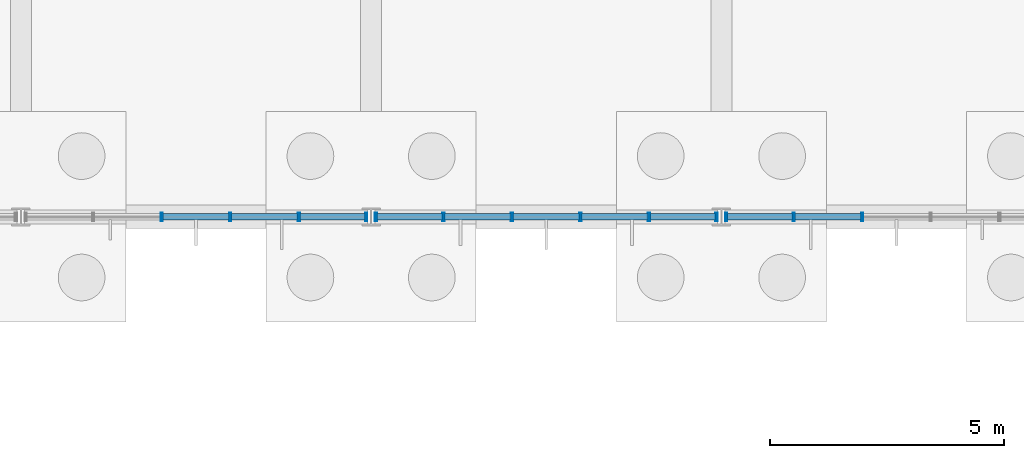
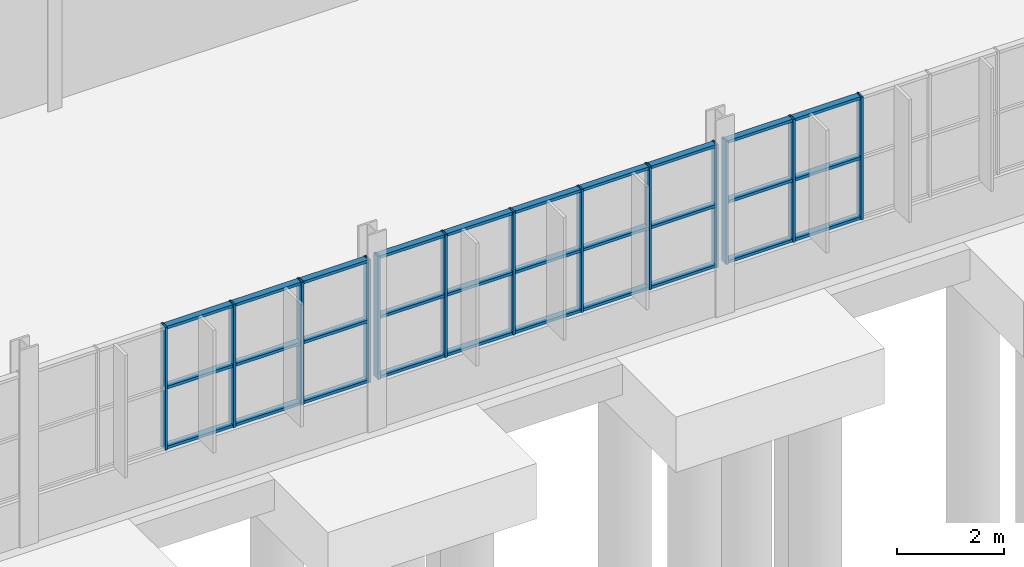
# One storey, part 61 of 136: 43 members, 3 elements without a shape of their own.
"""IFC4 building model written with IfcOpenShell, lengths in metres."""

from ifc_helpers import new_model, si_unit, direction, frame, origin, origin_2d, place, context, subcontext, project, spatial, hollow_rectangle, extrude, material, layer, layer_set, material_profile, profile_set, type_object, element, aggregate, save


model = new_model("IFC4")

# Units and contexts
model_context = context("Model", 3, precision=1e-05, world=origin(), true_north=direction((0.0, 1.0)))
body_context = subcontext(model_context, "Body", "Model", "MODEL_VIEW")
ifc_project = project(units=[si_unit("LENGTHUNIT", "METRE"), si_unit("AREAUNIT", "SQUARE_METRE"), si_unit("VOLUMEUNIT", "CUBIC_METRE"), si_unit("PLANEANGLEUNIT", "RADIAN"), si_unit("MASSUNIT", "GRAM", prefix="KILO")], contexts=[model_context])

# Site, building, storey
site_placement = place(None, origin())
site = spatial("IfcSite", under=ifc_project, at=site_placement, CompositionType="ELEMENT")
building_placement = place(site_placement, origin())
building = spatial("IfcBuilding", under=site, at=building_placement, Name="Solvenia Promenade Tram Depot", CompositionType="ELEMENT")
storey_placement = place(building_placement, origin())
storey = spatial("IfcBuildingStorey", under=building, at=storey_placement, Name="L00", CompositionType="ELEMENT", Elevation=0.0)

# Curtain wall, members
ifc_material = material(Name="Anodized aluminium AW-6063 T6", Category="aluminium")
ifc_layer = layer(ifc_material, 0.14990234375, Name="Anodized aluminium AW-6063 T6", Category="aluminium")
ifc_layer_set = layer_set([ifc_layer], Name="Anodized aluminium AW-6063 T6")
curtain_wall_type = type_object("IfcCurtainWallType", Name="CW-Court-1500", PredefinedType="NOTDEFINED", material=ifc_layer_set)
curtain_wall_1_placement = place(storey_placement, origin())
curtain_wall_1 = element("IfcCurtainWall", 1, at=curtain_wall_1_placement, inside=storey, type_object=curtain_wall_type, Name="Curtain Wall CW-V1S0-03", PredefinedType="NOTDEFINED")
ifc_material_profile_1 = material_profile(ifc_material, hollow_rectangle(XDim=0.179931640625, YDim=0.050048828125, WallThickness=0.00390625, at=origin_2d()), Name="ALU-M2", Category="aluminium")
ifc_profile_set_1 = profile_set([ifc_material_profile_1], Name="Anodized aluminium AW-6063 T6")
member_type_1 = type_object("IfcMemberType", Name="CWM-Mullion-2", PredefinedType="MULLION", material=ifc_profile_set_1)
member_1_placement = place(storey_placement, frame((63.01611328125, 66.0, 1.050048828125), z_axis=(0.0, 0.0, 1.0), x_axis=(0.0, 1.0, 0.0)))
member_1 = element("IfcMember", 2, at=member_1_placement, type_object=member_type_1, Name="CW-5 mullion 3", PredefinedType="MULLION", context=body_context, shape_type="SweptSolid", body=[
    extrude(hollow_rectangle(XDim=0.179931640625, YDim=0.050048828125, WallThickness=0.00390625, at=origin_2d()), origin(), (0.0, 0.0, 1.0), 2.800048828125),
])
member_2_placement = place(storey_placement, frame((64.48388671875, 66.0, 1.050048828125), z_axis=(0.0, 0.0, 1.0), x_axis=(0.0, 1.0, 0.0)))
member_2 = element("IfcMember", 3, at=member_2_placement, type_object=member_type_1, Name="CW-5 mullion 4", PredefinedType="MULLION", context=body_context, shape_type="SweptSolid", body=[
    extrude(hollow_rectangle(XDim=0.179931640625, YDim=0.050048828125, WallThickness=0.00390625, at=origin_2d()), origin(), (0.0, 0.0, 1.0), 2.800048828125),
])
member_3_placement = place(storey_placement, frame((65.951904296875, 66.0, 1.050048828125), z_axis=(0.0, 0.0, 1.0), x_axis=(0.0, 1.0, 0.0)))
member_3 = element("IfcMember", 4, at=member_3_placement, type_object=member_type_1, Name="CW-5 mullion 5", PredefinedType="MULLION", context=body_context, shape_type="SweptSolid", body=[
    extrude(hollow_rectangle(XDim=0.179931640625, YDim=0.050048828125, WallThickness=0.00390625, at=origin_2d()), origin(), (0.0, 0.0, 1.0), 2.800048828125),
])
member_4_placement = place(storey_placement, frame((67.39501953125, 66.0, 1.050048828125), z_axis=(0.0, 0.0, 1.0), x_axis=(0.0, 1.0, 0.0)))
member_4 = element("IfcMember", 5, at=member_4_placement, type_object=member_type_1, Name="CW-5 mullion 6", PredefinedType="MULLION", context=body_context, shape_type="SweptSolid", body=[
    extrude(hollow_rectangle(XDim=0.179931640625, YDim=0.050048828125, WallThickness=0.00390625, at=origin_2d()), origin(), (0.0, 0.0, 1.0), 2.800048828125),
])

curtain_wall_2_placement = place(storey_placement, origin())
curtain_wall_2 = element("IfcCurtainWall", 6, at=curtain_wall_2_placement, inside=storey, type_object=curtain_wall_type, Name="Curtain Wall CW-V1S0-04", PredefinedType="NOTDEFINED")
member_5_placement = place(storey_placement, frame((67.60498046875, 66.0, 1.050048828125), z_axis=(0.0, 0.0, 1.0), x_axis=(0.0, 1.0, 0.0)))
member_5 = element("IfcMember", 7, at=member_5_placement, type_object=member_type_1, Name="CW-5 mullion 1", PredefinedType="MULLION", context=body_context, shape_type="SweptSolid", body=[
    extrude(hollow_rectangle(XDim=0.179931640625, YDim=0.050048828125, WallThickness=0.00390625, at=origin_2d()), origin(), (0.0, 0.0, 1.0), 2.800048828125),
])
member_6_placement = place(storey_placement, frame((69.048095703125, 66.0, 1.050048828125), z_axis=(0.0, 0.0, 1.0), x_axis=(0.0, 1.0, 0.0)))
member_6 = element("IfcMember", 8, at=member_6_placement, type_object=member_type_1, Name="CW-5 mullion 2", PredefinedType="MULLION", context=body_context, shape_type="SweptSolid", body=[
    extrude(hollow_rectangle(XDim=0.179931640625, YDim=0.050048828125, WallThickness=0.00390625, at=origin_2d()), origin(), (0.0, 0.0, 1.0), 2.800048828125),
])
member_7_placement = place(storey_placement, frame((70.51611328125, 66.0, 1.050048828125), z_axis=(0.0, 0.0, 1.0), x_axis=(0.0, 1.0, 0.0)))
member_7 = element("IfcMember", 9, at=member_7_placement, type_object=member_type_1, Name="CW-5 mullion 3", PredefinedType="MULLION", context=body_context, shape_type="SweptSolid", body=[
    extrude(hollow_rectangle(XDim=0.179931640625, YDim=0.050048828125, WallThickness=0.00390625, at=origin_2d()), origin(), (0.0, 0.0, 1.0), 2.800048828125),
])
member_8_placement = place(storey_placement, frame((71.98388671875, 66.0, 1.050048828125), z_axis=(0.0, 0.0, 1.0), x_axis=(0.0, 1.0, 0.0)))
member_8 = element("IfcMember", 10, at=member_8_placement, type_object=member_type_1, Name="CW-5 mullion 4", PredefinedType="MULLION", context=body_context, shape_type="SweptSolid", body=[
    extrude(hollow_rectangle(XDim=0.179931640625, YDim=0.050048828125, WallThickness=0.00390625, at=origin_2d()), origin(), (0.0, 0.0, 1.0), 2.800048828125),
])
member_9_placement = place(storey_placement, frame((73.451904296875, 66.0, 1.050048828125), z_axis=(0.0, 0.0, 1.0), x_axis=(0.0, 1.0, 0.0)))
member_9 = element("IfcMember", 11, at=member_9_placement, type_object=member_type_1, Name="CW-5 mullion 5", PredefinedType="MULLION", context=body_context, shape_type="SweptSolid", body=[
    extrude(hollow_rectangle(XDim=0.179931640625, YDim=0.050048828125, WallThickness=0.00390625, at=origin_2d()), origin(), (0.0, 0.0, 1.0), 2.800048828125),
])
member_10_placement = place(storey_placement, frame((74.89501953125, 66.0, 1.050048828125), z_axis=(0.0, 0.0, 1.0), x_axis=(0.0, 1.0, 0.0)))
member_10 = element("IfcMember", 12, at=member_10_placement, type_object=member_type_1, Name="CW-5 mullion 6", PredefinedType="MULLION", context=body_context, shape_type="SweptSolid", body=[
    extrude(hollow_rectangle(XDim=0.179931640625, YDim=0.050048828125, WallThickness=0.00390625, at=origin_2d()), origin(), (0.0, 0.0, 1.0), 2.800048828125),
])

curtain_wall_3_placement = place(storey_placement, origin())
curtain_wall_3 = element("IfcCurtainWall", 13, at=curtain_wall_3_placement, inside=storey, type_object=curtain_wall_type, Name="Curtain Wall CW-V1S0-05", PredefinedType="NOTDEFINED")
member_11_placement = place(storey_placement, frame((75.10498046875, 66.0, 1.050048828125), z_axis=(0.0, 0.0, 1.0), x_axis=(0.0, 1.0, 0.0)))
member_11 = element("IfcMember", 14, at=member_11_placement, type_object=member_type_1, Name="CW-5 mullion 1", PredefinedType="MULLION", context=body_context, shape_type="SweptSolid", body=[
    extrude(hollow_rectangle(XDim=0.179931640625, YDim=0.050048828125, WallThickness=0.00390625, at=origin_2d()), origin(), (0.0, 0.0, 1.0), 2.800048828125),
])
member_12_placement = place(storey_placement, frame((76.548095703125, 66.0, 1.050048828125), z_axis=(0.0, 0.0, 1.0), x_axis=(0.0, 1.0, 0.0)))
member_12 = element("IfcMember", 15, at=member_12_placement, type_object=member_type_1, Name="CW-5 mullion 2", PredefinedType="MULLION", context=body_context, shape_type="SweptSolid", body=[
    extrude(hollow_rectangle(XDim=0.179931640625, YDim=0.050048828125, WallThickness=0.00390625, at=origin_2d()), origin(), (0.0, 0.0, 1.0), 2.800048828125),
])
member_13_placement = place(storey_placement, frame((78.01611328125, 66.0, 1.050048828125), z_axis=(0.0, 0.0, 1.0), x_axis=(0.0, 1.0, 0.0)))
member_13 = element("IfcMember", 16, at=member_13_placement, type_object=member_type_1, Name="CW-5 mullion 3", PredefinedType="MULLION", context=body_context, shape_type="SweptSolid", body=[
    extrude(hollow_rectangle(XDim=0.179931640625, YDim=0.050048828125, WallThickness=0.00390625, at=origin_2d()), origin(), (0.0, 0.0, 1.0), 2.800048828125),
])

# Member
ifc_material_profile_2 = material_profile(ifc_material, hollow_rectangle(XDim=0.139892578125, YDim=0.06494140625, WallThickness=0.00390625, at=origin_2d()), Name="ALU-T2", Category="aluminium")
ifc_profile_set_2 = profile_set([ifc_material_profile_2], Name="Anodized aluminium AW-6063 T6")
member_type_2 = type_object("IfcMemberType", Name="CWT-Transom-2", PredefinedType="USERDEFINED", material=ifc_profile_set_2)
member_14_placement = place(storey_placement, frame((63.041015625, 66.0, 1.08251953125), z_axis=(1.0, 0.0, 0.0), x_axis=(0.0, 1.0, 0.0)))
member_14 = element("IfcMember", 17, at=member_14_placement, type_object=member_type_2, Name="CW-5 transom 3.1", ObjectType="TRANSOM", PredefinedType="USERDEFINED", context=body_context, shape_type="SweptSolid", body=[
    extrude(hollow_rectangle(XDim=0.139892578125, YDim=0.06494140625, WallThickness=0.00390625, at=origin_2d()), origin(), (0.0, 0.0, 1.0), 1.41796875),
])

member_15_placement = place(storey_placement, frame((63.041015625, 66.0, 2.449951171875), z_axis=(1.0, 0.0, 0.0), x_axis=(0.0, 1.0, 0.0)))
member_15 = element("IfcMember", 18, at=member_15_placement, type_object=member_type_2, Name="CW-5 transom 3.2", ObjectType="TRANSOM", PredefinedType="USERDEFINED", context=body_context, shape_type="SweptSolid", body=[
    extrude(hollow_rectangle(XDim=0.139892578125, YDim=0.06494140625, WallThickness=0.00390625, at=origin_2d()), origin(), (0.0, 0.0, 1.0), 1.41796875),
])

member_16_placement = place(storey_placement, frame((63.041015625, 66.0, 3.8173828125), z_axis=(1.0, 0.0, 0.0), x_axis=(0.0, 1.0, 0.0)))
member_16 = element("IfcMember", 19, at=member_16_placement, type_object=member_type_2, Name="CW-5 transom 3.3", ObjectType="TRANSOM", PredefinedType="USERDEFINED", context=body_context, shape_type="SweptSolid", body=[
    extrude(hollow_rectangle(XDim=0.139892578125, YDim=0.06494140625, WallThickness=0.00390625, at=origin_2d()), origin(), (0.0, 0.0, 1.0), 1.41796875),
])

member_17_placement = place(storey_placement, frame((64.509033203125, 66.0, 1.08251953125), z_axis=(1.0, 0.0, 0.0), x_axis=(0.0, 1.0, 0.0)))
member_17 = element("IfcMember", 20, at=member_17_placement, type_object=member_type_2, Name="CW-5 transom 4.1", ObjectType="TRANSOM", PredefinedType="USERDEFINED", context=body_context, shape_type="SweptSolid", body=[
    extrude(hollow_rectangle(XDim=0.139892578125, YDim=0.06494140625, WallThickness=0.00390625, at=origin_2d()), origin(), (0.0, 0.0, 1.0), 1.41796875),
])

member_18_placement = place(storey_placement, frame((64.509033203125, 66.0, 2.449951171875), z_axis=(1.0, 0.0, 0.0), x_axis=(0.0, 1.0, 0.0)))
member_18 = element("IfcMember", 21, at=member_18_placement, type_object=member_type_2, Name="CW-5 transom 4.2", ObjectType="TRANSOM", PredefinedType="USERDEFINED", context=body_context, shape_type="SweptSolid", body=[
    extrude(hollow_rectangle(XDim=0.139892578125, YDim=0.06494140625, WallThickness=0.00390625, at=origin_2d()), origin(), (0.0, 0.0, 1.0), 1.41796875),
])

member_19_placement = place(storey_placement, frame((64.509033203125, 66.0, 3.8173828125), z_axis=(1.0, 0.0, 0.0), x_axis=(0.0, 1.0, 0.0)))
member_19 = element("IfcMember", 22, at=member_19_placement, type_object=member_type_2, Name="CW-5 transom 4.3", ObjectType="TRANSOM", PredefinedType="USERDEFINED", context=body_context, shape_type="SweptSolid", body=[
    extrude(hollow_rectangle(XDim=0.139892578125, YDim=0.06494140625, WallThickness=0.00390625, at=origin_2d()), origin(), (0.0, 0.0, 1.0), 1.41796875),
])

member_20_placement = place(storey_placement, frame((65.97705078125, 66.0, 1.08251953125), z_axis=(1.0, 0.0, 0.0), x_axis=(0.0, 1.0, 0.0)))
member_20 = element("IfcMember", 23, at=member_20_placement, type_object=member_type_2, Name="CW-5 transom 5.1", ObjectType="TRANSOM", PredefinedType="USERDEFINED", context=body_context, shape_type="SweptSolid", body=[
    extrude(hollow_rectangle(XDim=0.139892578125, YDim=0.06494140625, WallThickness=0.00390625, at=origin_2d()), origin(), (0.0, 0.0, 1.0), 1.39306640625),
])

member_21_placement = place(storey_placement, frame((65.97705078125, 66.0, 2.449951171875), z_axis=(1.0, 0.0, 0.0), x_axis=(0.0, 1.0, 0.0)))
member_21 = element("IfcMember", 24, at=member_21_placement, type_object=member_type_2, Name="CW-5 transom 5.2", ObjectType="TRANSOM", PredefinedType="USERDEFINED", context=body_context, shape_type="SweptSolid", body=[
    extrude(hollow_rectangle(XDim=0.139892578125, YDim=0.06494140625, WallThickness=0.00390625, at=origin_2d()), origin(), (0.0, 0.0, 1.0), 1.39306640625),
])

member_22_placement = place(storey_placement, frame((65.97705078125, 66.0, 3.8173828125), z_axis=(1.0, 0.0, 0.0), x_axis=(0.0, 1.0, 0.0)))
member_22 = element("IfcMember", 25, at=member_22_placement, type_object=member_type_2, Name="CW-5 transom 5.3", ObjectType="TRANSOM", PredefinedType="USERDEFINED", context=body_context, shape_type="SweptSolid", body=[
    extrude(hollow_rectangle(XDim=0.139892578125, YDim=0.06494140625, WallThickness=0.00390625, at=origin_2d()), origin(), (0.0, 0.0, 1.0), 1.39306640625),
])

aggregate(curtain_wall_1, [member_1, member_2, member_3, member_4, member_14, member_15, member_16, member_17, member_18, member_19, member_20, member_21, member_22])

member_23_placement = place(storey_placement, frame((67.6298828125, 66.0, 1.08251953125), z_axis=(1.0, 0.0, 0.0), x_axis=(0.0, 1.0, 0.0)))
member_23 = element("IfcMember", 26, at=member_23_placement, type_object=member_type_2, Name="CW-5 transom 1.1", ObjectType="TRANSOM", PredefinedType="USERDEFINED", context=body_context, shape_type="SweptSolid", body=[
    extrude(hollow_rectangle(XDim=0.139892578125, YDim=0.06494140625, WallThickness=0.00390625, at=origin_2d()), origin(), (0.0, 0.0, 1.0), 1.39306640625),
])

member_24_placement = place(storey_placement, frame((67.6298828125, 66.0, 2.449951171875), z_axis=(1.0, 0.0, 0.0), x_axis=(0.0, 1.0, 0.0)))
member_24 = element("IfcMember", 27, at=member_24_placement, type_object=member_type_2, Name="CW-5 transom 1.2", ObjectType="TRANSOM", PredefinedType="USERDEFINED", context=body_context, shape_type="SweptSolid", body=[
    extrude(hollow_rectangle(XDim=0.139892578125, YDim=0.06494140625, WallThickness=0.00390625, at=origin_2d()), origin(), (0.0, 0.0, 1.0), 1.39306640625),
])

member_25_placement = place(storey_placement, frame((67.6298828125, 66.0, 3.8173828125), z_axis=(1.0, 0.0, 0.0), x_axis=(0.0, 1.0, 0.0)))
member_25 = element("IfcMember", 28, at=member_25_placement, type_object=member_type_2, Name="CW-5 transom 1.3", ObjectType="TRANSOM", PredefinedType="USERDEFINED", context=body_context, shape_type="SweptSolid", body=[
    extrude(hollow_rectangle(XDim=0.139892578125, YDim=0.06494140625, WallThickness=0.00390625, at=origin_2d()), origin(), (0.0, 0.0, 1.0), 1.39306640625),
])

member_26_placement = place(storey_placement, frame((69.072998046875, 66.0, 1.08251953125), z_axis=(1.0, 0.0, 0.0), x_axis=(0.0, 1.0, 0.0)))
member_26 = element("IfcMember", 29, at=member_26_placement, type_object=member_type_2, Name="CW-5 transom 2.1", ObjectType="TRANSOM", PredefinedType="USERDEFINED", context=body_context, shape_type="SweptSolid", body=[
    extrude(hollow_rectangle(XDim=0.139892578125, YDim=0.06494140625, WallThickness=0.00390625, at=origin_2d()), origin(), (0.0, 0.0, 1.0), 1.41796875),
])

member_27_placement = place(storey_placement, frame((69.072998046875, 66.0, 2.449951171875), z_axis=(1.0, 0.0, 0.0), x_axis=(0.0, 1.0, 0.0)))
member_27 = element("IfcMember", 30, at=member_27_placement, type_object=member_type_2, Name="CW-5 transom 2.2", ObjectType="TRANSOM", PredefinedType="USERDEFINED", context=body_context, shape_type="SweptSolid", body=[
    extrude(hollow_rectangle(XDim=0.139892578125, YDim=0.06494140625, WallThickness=0.00390625, at=origin_2d()), origin(), (0.0, 0.0, 1.0), 1.41796875),
])

member_28_placement = place(storey_placement, frame((69.072998046875, 66.0, 3.8173828125), z_axis=(1.0, 0.0, 0.0), x_axis=(0.0, 1.0, 0.0)))
member_28 = element("IfcMember", 31, at=member_28_placement, type_object=member_type_2, Name="CW-5 transom 2.3", ObjectType="TRANSOM", PredefinedType="USERDEFINED", context=body_context, shape_type="SweptSolid", body=[
    extrude(hollow_rectangle(XDim=0.139892578125, YDim=0.06494140625, WallThickness=0.00390625, at=origin_2d()), origin(), (0.0, 0.0, 1.0), 1.41796875),
])

member_29_placement = place(storey_placement, frame((70.541015625, 66.0, 1.08251953125), z_axis=(1.0, 0.0, 0.0), x_axis=(0.0, 1.0, 0.0)))
member_29 = element("IfcMember", 32, at=member_29_placement, type_object=member_type_2, Name="CW-5 transom 3.1", ObjectType="TRANSOM", PredefinedType="USERDEFINED", context=body_context, shape_type="SweptSolid", body=[
    extrude(hollow_rectangle(XDim=0.139892578125, YDim=0.06494140625, WallThickness=0.00390625, at=origin_2d()), origin(), (0.0, 0.0, 1.0), 1.41796875),
])

member_30_placement = place(storey_placement, frame((70.541015625, 66.0, 2.449951171875), z_axis=(1.0, 0.0, 0.0), x_axis=(0.0, 1.0, 0.0)))
member_30 = element("IfcMember", 33, at=member_30_placement, type_object=member_type_2, Name="CW-5 transom 3.2", ObjectType="TRANSOM", PredefinedType="USERDEFINED", context=body_context, shape_type="SweptSolid", body=[
    extrude(hollow_rectangle(XDim=0.139892578125, YDim=0.06494140625, WallThickness=0.00390625, at=origin_2d()), origin(), (0.0, 0.0, 1.0), 1.41796875),
])

member_31_placement = place(storey_placement, frame((70.541015625, 66.0, 3.8173828125), z_axis=(1.0, 0.0, 0.0), x_axis=(0.0, 1.0, 0.0)))
member_31 = element("IfcMember", 34, at=member_31_placement, type_object=member_type_2, Name="CW-5 transom 3.3", ObjectType="TRANSOM", PredefinedType="USERDEFINED", context=body_context, shape_type="SweptSolid", body=[
    extrude(hollow_rectangle(XDim=0.139892578125, YDim=0.06494140625, WallThickness=0.00390625, at=origin_2d()), origin(), (0.0, 0.0, 1.0), 1.41796875),
])

member_32_placement = place(storey_placement, frame((72.009033203125, 66.0, 1.08251953125), z_axis=(1.0, 0.0, 0.0), x_axis=(0.0, 1.0, 0.0)))
member_32 = element("IfcMember", 35, at=member_32_placement, type_object=member_type_2, Name="CW-5 transom 4.1", ObjectType="TRANSOM", PredefinedType="USERDEFINED", context=body_context, shape_type="SweptSolid", body=[
    extrude(hollow_rectangle(XDim=0.139892578125, YDim=0.06494140625, WallThickness=0.00390625, at=origin_2d()), origin(), (0.0, 0.0, 1.0), 1.41796875),
])

member_33_placement = place(storey_placement, frame((72.009033203125, 66.0, 2.449951171875), z_axis=(1.0, 0.0, 0.0), x_axis=(0.0, 1.0, 0.0)))
member_33 = element("IfcMember", 36, at=member_33_placement, type_object=member_type_2, Name="CW-5 transom 4.2", ObjectType="TRANSOM", PredefinedType="USERDEFINED", context=body_context, shape_type="SweptSolid", body=[
    extrude(hollow_rectangle(XDim=0.139892578125, YDim=0.06494140625, WallThickness=0.00390625, at=origin_2d()), origin(), (0.0, 0.0, 1.0), 1.41796875),
])

member_34_placement = place(storey_placement, frame((72.009033203125, 66.0, 3.8173828125), z_axis=(1.0, 0.0, 0.0), x_axis=(0.0, 1.0, 0.0)))
member_34 = element("IfcMember", 37, at=member_34_placement, type_object=member_type_2, Name="CW-5 transom 4.3", ObjectType="TRANSOM", PredefinedType="USERDEFINED", context=body_context, shape_type="SweptSolid", body=[
    extrude(hollow_rectangle(XDim=0.139892578125, YDim=0.06494140625, WallThickness=0.00390625, at=origin_2d()), origin(), (0.0, 0.0, 1.0), 1.41796875),
])

member_35_placement = place(storey_placement, frame((73.47705078125, 66.0, 1.08251953125), z_axis=(1.0, 0.0, 0.0), x_axis=(0.0, 1.0, 0.0)))
member_35 = element("IfcMember", 38, at=member_35_placement, type_object=member_type_2, Name="CW-5 transom 5.1", ObjectType="TRANSOM", PredefinedType="USERDEFINED", context=body_context, shape_type="SweptSolid", body=[
    extrude(hollow_rectangle(XDim=0.139892578125, YDim=0.06494140625, WallThickness=0.00390625, at=origin_2d()), origin(), (0.0, 0.0, 1.0), 1.39306640625),
])

member_36_placement = place(storey_placement, frame((73.47705078125, 66.0, 2.449951171875), z_axis=(1.0, 0.0, 0.0), x_axis=(0.0, 1.0, 0.0)))
member_36 = element("IfcMember", 39, at=member_36_placement, type_object=member_type_2, Name="CW-5 transom 5.2", ObjectType="TRANSOM", PredefinedType="USERDEFINED", context=body_context, shape_type="SweptSolid", body=[
    extrude(hollow_rectangle(XDim=0.139892578125, YDim=0.06494140625, WallThickness=0.00390625, at=origin_2d()), origin(), (0.0, 0.0, 1.0), 1.39306640625),
])

member_37_placement = place(storey_placement, frame((73.47705078125, 66.0, 3.8173828125), z_axis=(1.0, 0.0, 0.0), x_axis=(0.0, 1.0, 0.0)))
member_37 = element("IfcMember", 40, at=member_37_placement, type_object=member_type_2, Name="CW-5 transom 5.3", ObjectType="TRANSOM", PredefinedType="USERDEFINED", context=body_context, shape_type="SweptSolid", body=[
    extrude(hollow_rectangle(XDim=0.139892578125, YDim=0.06494140625, WallThickness=0.00390625, at=origin_2d()), origin(), (0.0, 0.0, 1.0), 1.39306640625),
])

aggregate(curtain_wall_2, [member_5, member_6, member_7, member_8, member_9, member_10, member_23, member_24, member_25, member_26, member_27, member_28, member_29, member_30, member_31, member_32, member_33, member_34, member_35, member_36, member_37])

member_38_placement = place(storey_placement, frame((75.1298828125, 66.0, 1.08251953125), z_axis=(1.0, 0.0, 0.0), x_axis=(0.0, 1.0, 0.0)))
member_38 = element("IfcMember", 41, at=member_38_placement, type_object=member_type_2, Name="CW-5 transom 1.1", ObjectType="TRANSOM", PredefinedType="USERDEFINED", context=body_context, shape_type="SweptSolid", body=[
    extrude(hollow_rectangle(XDim=0.139892578125, YDim=0.06494140625, WallThickness=0.00390625, at=origin_2d()), origin(), (0.0, 0.0, 1.0), 1.39306640625),
])

member_39_placement = place(storey_placement, frame((75.1298828125, 66.0, 2.449951171875), z_axis=(1.0, 0.0, 0.0), x_axis=(0.0, 1.0, 0.0)))
member_39 = element("IfcMember", 42, at=member_39_placement, type_object=member_type_2, Name="CW-5 transom 1.2", ObjectType="TRANSOM", PredefinedType="USERDEFINED", context=body_context, shape_type="SweptSolid", body=[
    extrude(hollow_rectangle(XDim=0.139892578125, YDim=0.06494140625, WallThickness=0.00390625, at=origin_2d()), origin(), (0.0, 0.0, 1.0), 1.39306640625),
])

member_40_placement = place(storey_placement, frame((75.1298828125, 66.0, 3.8173828125), z_axis=(1.0, 0.0, 0.0), x_axis=(0.0, 1.0, 0.0)))
member_40 = element("IfcMember", 43, at=member_40_placement, type_object=member_type_2, Name="CW-5 transom 1.3", ObjectType="TRANSOM", PredefinedType="USERDEFINED", context=body_context, shape_type="SweptSolid", body=[
    extrude(hollow_rectangle(XDim=0.139892578125, YDim=0.06494140625, WallThickness=0.00390625, at=origin_2d()), origin(), (0.0, 0.0, 1.0), 1.39306640625),
])

member_41_placement = place(storey_placement, frame((76.572998046875, 66.0, 1.08251953125), z_axis=(1.0, 0.0, 0.0), x_axis=(0.0, 1.0, 0.0)))
member_41 = element("IfcMember", 44, at=member_41_placement, type_object=member_type_2, Name="CW-5 transom 2.1", ObjectType="TRANSOM", PredefinedType="USERDEFINED", context=body_context, shape_type="SweptSolid", body=[
    extrude(hollow_rectangle(XDim=0.139892578125, YDim=0.06494140625, WallThickness=0.00390625, at=origin_2d()), origin(), (0.0, 0.0, 1.0), 1.41796875),
])

member_42_placement = place(storey_placement, frame((76.572998046875, 66.0, 2.449951171875), z_axis=(1.0, 0.0, 0.0), x_axis=(0.0, 1.0, 0.0)))
member_42 = element("IfcMember", 45, at=member_42_placement, type_object=member_type_2, Name="CW-5 transom 2.2", ObjectType="TRANSOM", PredefinedType="USERDEFINED", context=body_context, shape_type="SweptSolid", body=[
    extrude(hollow_rectangle(XDim=0.139892578125, YDim=0.06494140625, WallThickness=0.00390625, at=origin_2d()), origin(), (0.0, 0.0, 1.0), 1.41796875),
])

member_43_placement = place(storey_placement, frame((76.572998046875, 66.0, 3.8173828125), z_axis=(1.0, 0.0, 0.0), x_axis=(0.0, 1.0, 0.0)))
member_43 = element("IfcMember", 46, at=member_43_placement, type_object=member_type_2, Name="CW-5 transom 2.3", ObjectType="TRANSOM", PredefinedType="USERDEFINED", context=body_context, shape_type="SweptSolid", body=[
    extrude(hollow_rectangle(XDim=0.139892578125, YDim=0.06494140625, WallThickness=0.00390625, at=origin_2d()), origin(), (0.0, 0.0, 1.0), 1.41796875),
])

aggregate(curtain_wall_3, [member_11, member_12, member_13, member_38, member_39, member_40, member_41, member_42, member_43])

save(model, "model.ifc")
